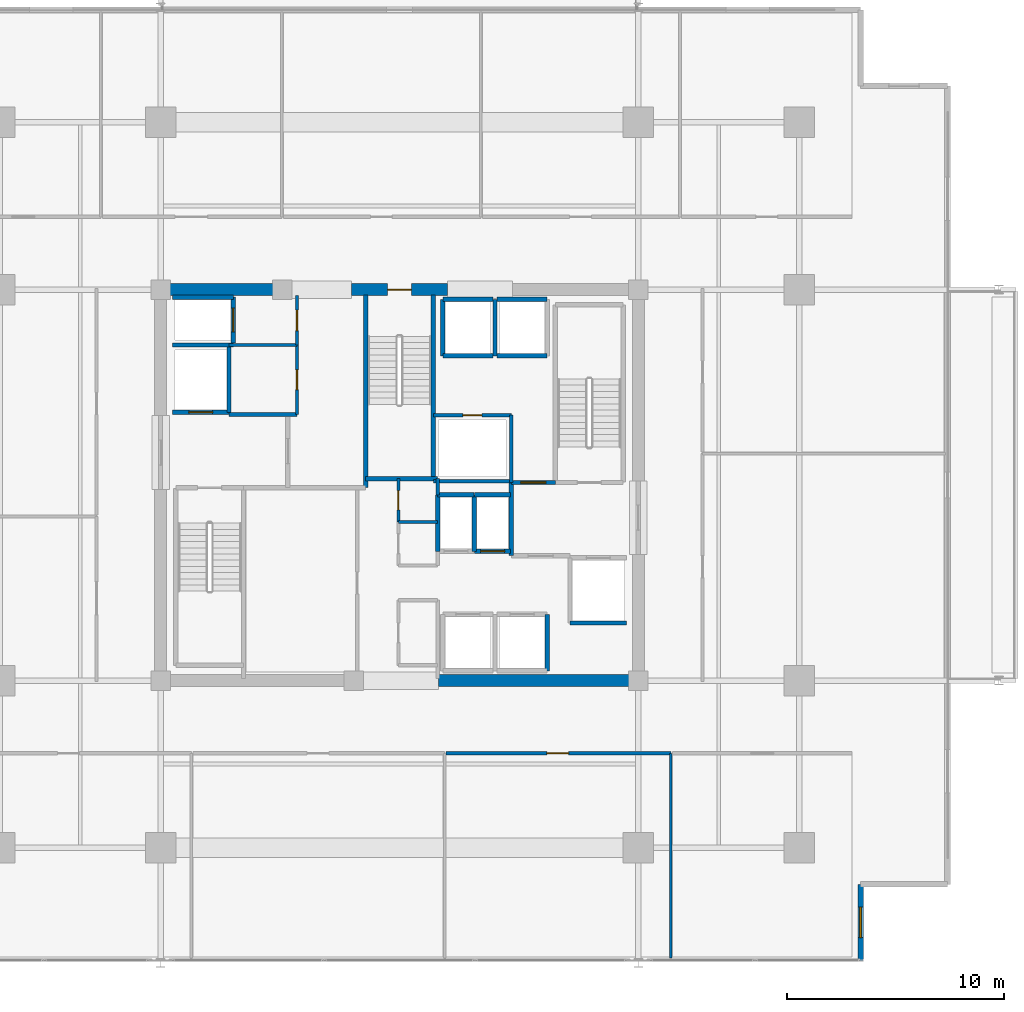
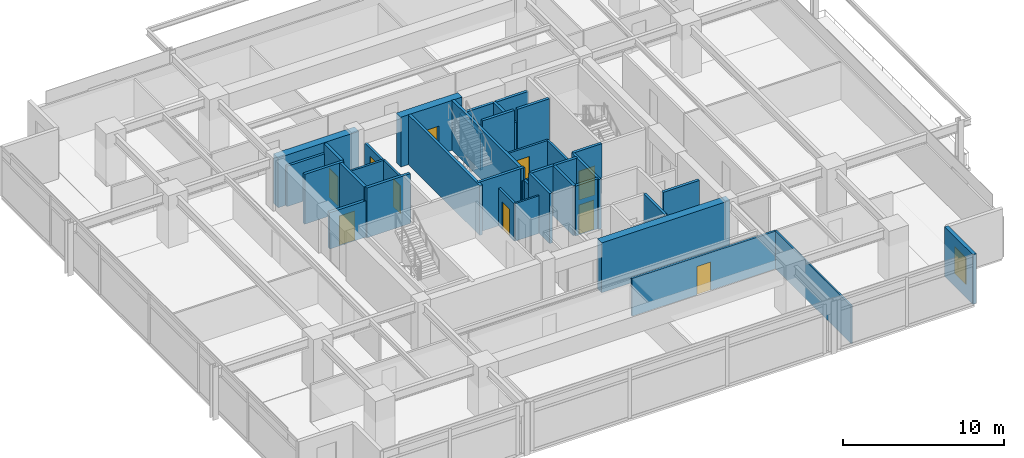
# One storey, part 14 of 20: 39 walls, 10 doors, 1 window, 11 openings.
"""IFC4 building model written with IfcOpenShell, lengths in metres."""

from ifc_helpers import new_model, si_unit, direction, frame, frame_2d, origin, place, context, subcontext, project, spatial, rectangle, extrude, material, layer, layer_set, type_object, element, fill, save


model = new_model("IFC4")

# Units and contexts
model_context = context("Model", 3, precision=1e-05, world=origin(), true_north=direction((0.0, 1.0)))
body_context = subcontext(model_context, "Body", "Model", "MODEL_VIEW")
ifc_project = project(units=[si_unit("LENGTHUNIT", "METRE"), si_unit("AREAUNIT", "SQUARE_METRE"), si_unit("VOLUMEUNIT", "CUBIC_METRE"), si_unit("PLANEANGLEUNIT", "RADIAN"), si_unit("MASSUNIT", "GRAM", prefix="KILO")], contexts=[model_context])

# Site, building, storey
site_placement = place(None, origin())
site = spatial("IfcSite", under=ifc_project, at=site_placement, CompositionType="ELEMENT")
building_placement = place(site_placement, origin())
building = spatial("IfcBuilding", under=site, at=building_placement, Name="Kovane Verandah Tower", CompositionType="ELEMENT")
storey_placement = place(building_placement, frame((0.0, 0.0, 213.199951171875)))
storey = spatial("IfcBuildingStorey", under=building, at=storey_placement, Name="L49", CompositionType="ELEMENT", Elevation=213.199951171875)

# Wall
ifc_material_1 = material(Name="Fire-Rated Gypsum Stud Partition", Category="gypsum")
ifc_layer_1 = layer(ifc_material_1, 0.14990234375)
ifc_layer_set_1 = layer_set([ifc_layer_1], Name="Fire-Rated Gypsum Stud Partition")
wall_type_1 = type_object("IfcWallType", Name="WL-COR-150", PredefinedType="PARTITIONING", material=ifc_layer_set_1)
wall_1_placement = place(storey_placement, frame((41.760009765625, 27.050048828125, 0.0), z_axis=(0.0, 0.0, 1.0), x_axis=(0.0, 1.0, 0.0)))
element("IfcWall", 1, at=wall_1_placement, inside=storey, type_object=wall_type_1, Name="L49 Central Core Strip Upper East Wall", PredefinedType="PARTITIONING", context=body_context, shape_type="SweptSolid", body=[
    extrude(rectangle(XDim=0.75, YDim=0.14990234375, at=frame_2d((0.375, 0.0))), origin(), (0.0, 0.0, 1.0), 2.85009765625),
])

# Wall, opening, door
wall_2_placement = place(storey_placement, frame((39.949951171875, 25.800048828125, 0.0), z_axis=(0.0, 0.0, 1.0), x_axis=(0.0, 1.0, 0.0)))
wall_2 = element("IfcWall", 2, at=wall_2_placement, inside=storey, type_object=wall_type_1, Name="L49 Telecom and BMS Riser Room Partition", PredefinedType="PARTITIONING", context=body_context, shape_type="SweptSolid", body=[
    extrude(rectangle(XDim=2.0, YDim=0.14990234375, at=frame_2d((1.0, 0.0))), origin(), (0.0, 0.0, 1.0), 2.85009765625),
])
opening_1_placement = place(wall_2_placement, frame((0.56005859375, 0.0, 0.0)))
opening_1 = element("IfcOpeningElement", 3, at=opening_1_placement, cuts=wall_2, Name="Opening DR-L49-025", PredefinedType="OPENING", context=body_context, shape_type="SweptSolid", body=[
    extrude(rectangle(XDim=0.8798828125, YDim=2.10009765625, at=frame_2d((0.43994140625, 1.050048828125))), frame((0.0, 0.074951171875, 0.0), z_axis=(0.0, -1.0, 0.0), x_axis=(1.0, 0.0, 0.0)), (0.0, 0.0, 1.0), 0.14990234375),
])
ifc_material_2 = material(Name="Fire-Rated Steel Riser Access Door", Category="steel")
door_type_1 = type_object("IfcDoorType", Name="DR-RISER-880", OperationType="SINGLE_SWING_LEFT", PredefinedType="DOOR", material=ifc_material_2)
door_1_placement = place(opening_1_placement, origin())
door_1 = element("IfcDoor", 4, at=door_1_placement, inside=storey, type_object=door_type_1, Name="L49 Telecom and BMS Riser Room Door", OperationType="SINGLE_SWING_RIGHT", OverallHeight=2.10009765625, OverallWidth=0.8798828125, PredefinedType="DOOR", context=body_context, shape_type="SweptSolid", body=[
    extrude(rectangle(XDim=0.8798828125, YDim=2.10009765625, at=frame_2d((0.43994140625, 1.050048828125))), frame((0.0, 0.02490234375, 0.0), z_axis=(0.0, -1.0, 0.0), x_axis=(1.0, 0.0, 0.0)), (0.0, 0.0, 1.0), 0.050048828125),
])
fill(opening_1, door_1)

# Wall
wall_3_placement = place(storey_placement, frame((32.14990234375, 33.949951171875, 0.0), z_axis=(0.0, 0.0, 1.0), x_axis=(1.0, 0.0, 0.0)))
element("IfcWall", 5, at=wall_3_placement, inside=storey, type_object=wall_type_1, Name="L49 Goods Lift Lobby South Wall", PredefinedType="PARTITIONING", context=body_context, shape_type="SweptSolid", body=[
    extrude(rectangle(XDim=3.130126953125, YDim=0.14990234375, at=frame_2d((1.56494140625, 0.0))), origin(), (0.0, 0.0, 1.0), 2.85009765625),
])

# Wall, opening, door
wall_4_placement = place(storey_placement, frame((35.280029296875, 33.949951171875, 0.0), z_axis=(0.0, 0.0, 1.0), x_axis=(0.0, 1.0, 0.0)))
wall_4 = element("IfcWall", 6, at=wall_4_placement, inside=storey, type_object=wall_type_1, Name="L49 Goods Lift Lobby East Fire Partition", PredefinedType="PARTITIONING", context=body_context, shape_type="SweptSolid", body=[
    extrude(rectangle(XDim=2.27001953125, YDim=0.14990234375, at=frame_2d((1.135009765625, 0.0))), origin(), (0.0, 0.0, 1.0), 2.755126953125),
])
opening_2_placement = place(wall_4_placement, frame((0.659912109375, 0.0, 0.0)))
opening_2 = element("IfcOpeningElement", 7, at=opening_2_placement, cuts=wall_4, Name="Opening DR-L49-008", PredefinedType="OPENING", context=body_context, shape_type="SweptSolid", body=[
    extrude(rectangle(XDim=0.949951171875, YDim=2.14990234375, at=frame_2d((0.47509765625, 1.074951171875))), frame((0.0, 0.074951171875, 0.0), z_axis=(0.0, -1.0, 0.0), x_axis=(1.0, 0.0, 0.0)), (0.0, 0.0, 1.0), 0.14990234375),
])
ifc_material_3 = material(Name="Fire-Rated Steel Refuge and Lobby Door", Category="steel")
door_type_2 = type_object("IfcDoorType", Name="DR-FIRE-950", OperationType="SINGLE_SWING_LEFT", PredefinedType="DOOR", material=ifc_material_3)
door_2_placement = place(opening_2_placement, origin())
door_2 = element("IfcDoor", 8, at=door_2_placement, inside=storey, type_object=door_type_2, Name="L49 Goods Lift Lobby Fire Door", OperationType="SINGLE_SWING_LEFT", OverallHeight=2.14990234375, OverallWidth=0.949951171875, PredefinedType="DOOR", context=body_context, shape_type="SweptSolid", body=[
    extrude(rectangle(XDim=0.949951171875, YDim=2.14990234375, at=frame_2d((0.47509765625, 1.074951171875))), frame((0.0, 0.02490234375, 0.0), z_axis=(0.0, -1.0, 0.0), x_axis=(1.0, 0.0, 0.0)), (0.0, 0.0, 1.0), 0.050048828125),
])
fill(opening_2, door_2)

wall_5_placement = place(storey_placement, frame((35.280029296875, 30.75, 0.0), z_axis=(0.0, 0.0, 1.0), x_axis=(0.0, 1.0, 0.0)))
wall_5 = element("IfcWall", 9, at=wall_5_placement, inside=storey, type_object=wall_type_1, Name="L49 Accessible Unisex Toilet Partition", PredefinedType="PARTITIONING", context=body_context, shape_type="SweptSolid", body=[
    extrude(rectangle(XDim=3.199951171875, YDim=0.14990234375, at=frame_2d((1.60009765625, 0.0))), origin(), (0.0, 0.0, 1.0), 2.85009765625),
])
opening_3_placement = place(wall_5_placement, frame((1.14990234375, 0.0, 0.0)))
opening_3 = element("IfcOpeningElement", 10, at=opening_3_placement, cuts=wall_5, Name="Opening DR-L49-026", PredefinedType="OPENING", context=body_context, shape_type="SweptSolid", body=[
    extrude(rectangle(XDim=0.89990234375, YDim=2.10009765625, at=frame_2d((0.449951171875, 1.050048828125))), frame((0.0, 0.074951171875, 0.0), z_axis=(0.0, -1.0, 0.0), x_axis=(1.0, 0.0, 0.0)), (0.0, 0.0, 1.0), 0.14990234375),
])
ifc_material_4 = material(Name="Moisture-Resistant Laminate Washroom Door", Category="wood")
door_type_3 = type_object("IfcDoorType", Name="DR-WC-900", OperationType="SINGLE_SWING_LEFT", PredefinedType="DOOR", material=ifc_material_4)
door_3_placement = place(opening_3_placement, origin())
door_3 = element("IfcDoor", 11, at=door_3_placement, inside=storey, type_object=door_type_3, Name="L49 Accessible Unisex Toilet Door", OperationType="SINGLE_SWING_RIGHT", OverallHeight=2.10009765625, OverallWidth=0.89990234375, PredefinedType="DOOR", context=body_context, shape_type="SweptSolid", body=[
    extrude(rectangle(XDim=0.89990234375, YDim=2.10009765625, at=frame_2d((0.449951171875, 1.050048828125))), frame((0.0, 0.02490234375, 0.0), z_axis=(0.0, -1.0, 0.0), x_axis=(1.0, 0.0, 0.0)), (0.0, 0.0, 1.0), 0.050048828125),
])
fill(opening_3, door_3)

# Walls
wall_6_placement = place(storey_placement, frame((41.56005859375, 27.679931640625, 0.0), z_axis=(0.0, 0.0, 1.0), x_axis=(1.0, 0.0, 0.0)))
element("IfcWall", 12, at=wall_6_placement, inside=storey, type_object=wall_type_1, Name="L49 East Core Service Riser South Wall", PredefinedType="PARTITIONING", context=body_context, shape_type="SweptSolid", body=[
    extrude(rectangle(XDim=3.58984375, YDim=0.14990234375, at=frame_2d((1.794921875, 0.0))), origin(), (0.0, 0.0, 1.0), 2.85009765625),
])
wall_7_placement = place(storey_placement, frame((45.14990234375, 27.6201171875, 0.0), z_axis=(0.0, 0.0, 1.0), x_axis=(0.0, 1.0, 0.0)))
element("IfcWall", 13, at=wall_7_placement, inside=storey, type_object=wall_type_1, Name="L49 East Core Service Riser East Wall", PredefinedType="PARTITIONING", context=body_context, shape_type="SweptSolid", body=[
    extrude(rectangle(XDim=3.099853515625, YDim=0.14990234375, at=frame_2d((1.5498046875, 0.0))), origin(), (0.0, 0.0, 1.0), 2.85009765625),
])

# Wall, opening, door
wall_8_placement = place(storey_placement, frame((41.56005859375, 30.719970703125, 0.0), z_axis=(0.0, 0.0, 1.0), x_axis=(1.0, 0.0, 0.0)))
wall_8 = element("IfcWall", 14, at=wall_8_placement, inside=storey, type_object=wall_type_1, Name="L49 Combined Chilled Water and Smoke Duct Room Partition", PredefinedType="PARTITIONING", context=body_context, shape_type="SweptSolid", body=[
    extrude(rectangle(XDim=3.58984375, YDim=0.14990234375, at=frame_2d((1.794921875, 0.0))), origin(), (0.0, 0.0, 1.0), 2.85009765625),
])
opening_4_placement = place(wall_8_placement, frame((1.35498046875, 0.0, 0.0)))
opening_4 = element("IfcOpeningElement", 15, at=opening_4_placement, cuts=wall_8, Name="Opening DR-L49-015", PredefinedType="OPENING", context=body_context, shape_type="SweptSolid", body=[
    extrude(rectangle(XDim=0.8798828125, YDim=2.10009765625, at=frame_2d((0.43994140625, 1.050048828125))), frame((0.0, 0.074951171875, 0.0), z_axis=(0.0, -1.0, 0.0), x_axis=(1.0, 0.0, 0.0)), (0.0, 0.0, 1.0), 0.14990234375),
])
door_4_placement = place(opening_4_placement, origin())
door_4 = element("IfcDoor", 16, at=door_4_placement, inside=storey, type_object=door_type_1, Name="L49 Combined Chilled Water and Smoke Duct Room Door", OperationType="SINGLE_SWING_RIGHT", OverallHeight=2.10009765625, OverallWidth=0.8798828125, PredefinedType="DOOR", context=body_context, shape_type="SweptSolid", body=[
    extrude(rectangle(XDim=0.8798828125, YDim=2.10009765625, at=frame_2d((0.43994140625, 1.050048828125))), frame((0.0, 0.02490234375, 0.0), z_axis=(0.0, -1.0, 0.0), x_axis=(1.0, 0.0, 0.0)), (0.0, 0.0, 1.0), 0.050048828125),
])
fill(opening_4, door_4)

wall_9_placement = place(storey_placement, frame((42.1533203125, 15.14990234375, 0.0), z_axis=(0.0, 0.0, 1.0), x_axis=(1.0, 0.0, 0.0)))
wall_9 = element("IfcWall", 17, at=wall_9_placement, inside=storey, type_object=wall_type_1, Name="L49 Open Plan Office S3 Corridor Partition", PredefinedType="PARTITIONING", context=body_context, shape_type="SweptSolid", body=[
    extrude(rectangle(XDim=10.345703125, YDim=0.14990234375, at=frame_2d((5.1728515625, 0.0))), origin(), (0.0, 0.0, 1.0), 2.85009765625),
])
opening_5_placement = place(wall_9_placement, frame((4.637939453125, 0.0, 0.0)))
opening_5 = element("IfcOpeningElement", 18, at=opening_5_placement, cuts=wall_9, Name="Opening DR-L49-023", PredefinedType="OPENING", context=body_context, shape_type="SweptSolid", body=[
    extrude(rectangle(XDim=1.0, YDim=2.14990234375, at=frame_2d((0.5, 1.074951171875))), frame((0.0, 0.074951171875, 0.0), z_axis=(0.0, -1.0, 0.0), x_axis=(1.0, 0.0, 0.0)), (0.0, 0.0, 1.0), 0.14990234375),
])
ifc_material_5 = material(Name="FSC Spotted-Gum Timber Fire-Rated Office Door", Category="wood")
door_type_4 = type_object("IfcDoorType", Name="DR-OFF-1000", OperationType="SINGLE_SWING_LEFT", PredefinedType="DOOR", material=ifc_material_5)
door_5_placement = place(opening_5_placement, origin())
door_5 = element("IfcDoor", 19, at=door_5_placement, inside=storey, type_object=door_type_4, Name="L49 Open Plan Office S3 Entrance Door", OperationType="SINGLE_SWING_RIGHT", OverallHeight=2.14990234375, OverallWidth=1.0, PredefinedType="DOOR", context=body_context, shape_type="SweptSolid", body=[
    extrude(rectangle(XDim=1.0, YDim=2.14990234375, at=frame_2d((0.5, 1.074951171875))), frame((0.0, 0.02490234375, 0.0), z_axis=(0.0, -1.0, 0.0), x_axis=(1.0, 0.0, 0.0)), (0.0, 0.0, 1.0), 0.050048828125),
])
fill(opening_5, door_5)

# Walls
ifc_material_6 = material(Name="Concrete C60/75", Category="concrete")
ifc_layer_2 = layer(ifc_material_6, 0.550048828125)
ifc_layer_set_2 = layer_set([ifc_layer_2], Name="Concrete C60/75")
wall_type_2 = type_object("IfcWallType", Name="WL-CORE-550", PredefinedType="SHEAR", material=ifc_layer_set_2)
wall_10_placement = place(storey_placement, frame((41.800048828125, 18.5, 0.0), z_axis=(0.0, 0.0, 1.0), x_axis=(1.0, 0.0, 0.0)))
element("IfcWall", 20, at=wall_10_placement, inside=storey, type_object=wall_type_2, Name="L49 Core Shear Wall CS-2", PredefinedType="SHEAR", context=body_context, shape_type="SweptSolid", body=[
    extrude(rectangle(XDim=9.199951171875, YDim=0.550048828125, at=frame_2d((4.60009765625, 0.0))), origin(), (0.0, 0.0, 1.0), 3.775146484375),
])
wall_11_placement = place(storey_placement, frame((29.0, 36.5, 0.0), z_axis=(0.0, 0.0, 1.0), x_axis=(1.0, 0.0, 0.0)))
element("IfcWall", 21, at=wall_11_placement, inside=storey, type_object=wall_type_2, Name="L49 Core Shear Wall CN-1", PredefinedType="SHEAR", context=body_context, shape_type="SweptSolid", body=[
    extrude(rectangle(XDim=5.800048828125, YDim=0.550048828125, at=frame_2d((2.89990234375, 0.0))), origin(), (0.0, 0.0, 1.0), 3.775146484375),
])

# Wall, opening, door
wall_12_placement = place(storey_placement, frame((37.800048828125, 36.5, 0.0), z_axis=(0.0, 0.0, 1.0), x_axis=(1.0, 0.0, 0.0)))
wall_12 = element("IfcWall", 22, at=wall_12_placement, inside=storey, type_object=wall_type_2, Name="L49 Core Shear Wall CN-2", PredefinedType="SHEAR", context=body_context, shape_type="SweptSolid", body=[
    extrude(rectangle(XDim=4.39990234375, YDim=0.550048828125, at=frame_2d((2.199951171875, 0.0))), origin(), (0.0, 0.0, 1.0), 3.775146484375),
])
opening_6_placement = place(wall_12_placement, frame((1.64990234375, 0.0, 0.0)))
opening_6 = element("IfcOpeningElement", 23, at=opening_6_placement, cuts=wall_12, Name="Opening DR-L49-011", PredefinedType="OPENING", context=body_context, shape_type="SweptSolid", body=[
    extrude(rectangle(XDim=1.10009765625, YDim=2.14990234375, at=frame_2d((0.550048828125, 1.074951171875))), frame((0.0, 0.27490234375, 0.0), z_axis=(0.0, -1.0, 0.0), x_axis=(1.0, 0.0, 0.0)), (0.0, 0.0, 1.0), 0.550048828125),
])
ifc_material_7 = material(Name="Fire-Rated Steel Exit Door", Category="steel")
door_type_5 = type_object("IfcDoorType", Name="DR-STAIR-1100", OperationType="SINGLE_SWING_LEFT", PredefinedType="DOOR", material=ifc_material_7)
door_6_placement = place(opening_6_placement, origin())
door_6 = element("IfcDoor", 24, at=door_6_placement, inside=storey, type_object=door_type_5, Name="L49 ST-03 Fire Exit Stair Door", OperationType="SINGLE_SWING_LEFT", OverallHeight=2.14990234375, OverallWidth=1.10009765625, PredefinedType="DOOR", context=body_context, shape_type="SweptSolid", body=[
    extrude(rectangle(XDim=1.10009765625, YDim=2.14990234375, at=frame_2d((0.550048828125, 1.074951171875))), frame((0.0, 0.02490234375, 0.0), z_axis=(0.0, -1.0, 0.0), x_axis=(1.0, 0.0, 0.0)), (0.0, 0.0, 1.0), 0.050048828125),
])
fill(opening_6, door_6)

# Walls
ifc_material_8 = material(Name="Concrete C45/55 Fire Wall", Category="concrete")
ifc_layer_3 = layer(ifc_material_8, 0.199951171875)
ifc_layer_set_3 = layer_set([ifc_layer_3], Name="Concrete C45/55 Fire Wall")
wall_type_3 = type_object("IfcWallType", Name="WL-FFL-200", PredefinedType="PARTITIONING", material=ifc_layer_set_3)
wall_13_placement = place(storey_placement, frame((32.14990234375, 30.75, 0.0), z_axis=(0.0, 0.0, 1.0), x_axis=(1.0, 0.0, 0.0)))
element("IfcWall", 25, at=wall_13_placement, inside=storey, type_object=wall_type_3, Name="L49 West Firefighting Lobby North Fire Wall", PredefinedType="PARTITIONING", context=body_context, shape_type="SweptSolid", body=[
    extrude(rectangle(XDim=3.130126953125, YDim=0.199951171875, at=frame_2d((1.56494140625, 0.0))), origin(), (0.0, 0.0, 1.0), 3.775146484375),
])
wall_14_placement = place(storey_placement, frame((45.14990234375, 24.25, 0.0), z_axis=(0.0, 0.0, 1.0), x_axis=(0.0, 1.0, 0.0)))
element("IfcWall", 26, at=wall_14_placement, inside=storey, type_object=wall_type_3, Name="L49 East Firefighting Lobby West Fire Wall", PredefinedType="PARTITIONING", context=body_context, shape_type="SweptSolid", body=[
    extrude(rectangle(XDim=3.3701171875, YDim=0.199951171875, at=frame_2d((1.68505859375, 0.0))), origin(), (0.0, 0.0, 1.0), 3.775146484375),
])

# Wall, opening, door
wall_15_placement = place(storey_placement, frame((45.14990234375, 27.6201171875, 0.0), z_axis=(0.0, 0.0, 1.0), x_axis=(1.0, 0.0, 0.0)))
wall_15 = element("IfcWall", 27, at=wall_15_placement, inside=storey, type_object=wall_type_3, Name="W-L49-FFLE-N", PredefinedType="PARTITIONING", context=body_context, shape_type="SweptSolid", body=[
    extrude(rectangle(XDim=2.030029296875, YDim=0.199951171875, at=frame_2d((1.01513671875, 0.0))), origin(), (0.0, 0.0, 1.0), 3.775146484375),
])
opening_7_placement = place(wall_15_placement, frame((0.43994140625, 0.0, 0.0)))
opening_7 = element("IfcOpeningElement", 28, at=opening_7_placement, cuts=wall_15, Name="Opening DR-L49-004", PredefinedType="OPENING", context=body_context, shape_type="SweptSolid", body=[
    extrude(rectangle(XDim=1.14990234375, YDim=2.199951171875, at=frame_2d((0.574951171875, 1.10009765625))), frame((0.0, 0.10009765625, 0.0), z_axis=(0.0, -1.0, 0.0), x_axis=(1.0, 0.0, 0.0)), (0.0, 0.0, 1.0), 0.199951171875),
])
ifc_material_9 = material(Name="Smoke-Sealed Firefighting Lobby Door", Category="steel")
door_type_6 = type_object("IfcDoorType", Name="DR-FFL-1150", OperationType="SINGLE_SWING_LEFT", PredefinedType="DOOR", material=ifc_material_9)
door_7_placement = place(opening_7_placement, origin())
door_7 = element("IfcDoor", 29, at=door_7_placement, inside=storey, type_object=door_type_6, Name="L49 East Firefighting Lobby Shuttle Link Door", OperationType="SINGLE_SWING_LEFT", OverallHeight=2.199951171875, OverallWidth=1.14990234375, PredefinedType="DOOR", context=body_context, shape_type="SweptSolid", body=[
    extrude(rectangle(XDim=1.14990234375, YDim=2.199951171875, at=frame_2d((0.574951171875, 1.10009765625))), frame((0.0, 0.02490234375, 0.0), z_axis=(0.0, -1.0, 0.0), x_axis=(1.0, 0.0, 0.0)), (0.0, 0.0, 1.0), 0.050048828125),
])
fill(opening_7, door_7)

ifc_material_10 = material(Name="Concrete C45/55 Lift Shaft Wall", Category="concrete")
ifc_layer_4 = layer(ifc_material_10, 0.199951171875)
ifc_layer_set_4 = layer_set([ifc_layer_4], Name="Concrete C45/55 Lift Shaft Wall")
wall_type_4 = type_object("IfcWallType", Name="WL-LIFT-200", PredefinedType="SOLIDWALL", material=ifc_layer_set_4)
wall_16_placement = place(storey_placement, frame((29.550048828125, 30.85009765625, 0.0), z_axis=(0.0, 0.0, 1.0), x_axis=(1.0, 0.0, 0.0)))
wall_16 = element("IfcWall", 30, at=wall_16_placement, inside=storey, type_object=wall_type_4, Name="L49 Lift FL-01 S Shaft Wall", PredefinedType="SOLIDWALL", context=body_context, shape_type="SweptSolid", body=[
    extrude(rectangle(XDim=2.599853515625, YDim=0.199951171875, at=frame_2d((1.2998046875, 0.0))), origin(), (0.0, 0.0, 1.0), 2.755126953125),
])
opening_8_placement = place(wall_16_placement, frame((0.75, 0.0, 0.0)))
opening_8 = element("IfcOpeningElement", 31, at=opening_8_placement, cuts=wall_16, Name="Opening LD-L49-001", PredefinedType="OPENING", context=body_context, shape_type="SweptSolid", body=[
    extrude(rectangle(XDim=1.10009765625, YDim=2.199951171875, at=frame_2d((0.550048828125, 1.10009765625))), frame((0.0, 0.10009765625, 0.0), z_axis=(0.0, -1.0, 0.0), x_axis=(1.0, 0.0, 0.0)), (0.0, 0.0, 1.0), 0.199951171875),
])
ifc_material_11 = material(Name="Brushed Stainless Steel Sliding Lift Landing Door", Category="steel")
door_type_7 = type_object("IfcDoorType", Name="DR-LIFT-1100", OperationType="SLIDING_TO_RIGHT", PredefinedType="DOOR", material=ifc_material_11)
door_8_placement = place(opening_8_placement, origin())
door_8 = element("IfcDoor", 32, at=door_8_placement, inside=storey, type_object=door_type_7, Name="L49 Lift FL-01 Sliding Landing Door", OperationType="SLIDING_TO_RIGHT", OverallHeight=2.199951171875, OverallWidth=1.10009765625, PredefinedType="DOOR", context=body_context, shape_type="SweptSolid", body=[
    extrude(rectangle(XDim=1.10009765625, YDim=2.199951171875, at=frame_2d((0.550048828125, 1.10009765625))), frame((0.0, 0.02490234375, 0.0), z_axis=(0.0, -1.0, 0.0), x_axis=(1.0, 0.0, 0.0)), (0.0, 0.0, 1.0), 0.050048828125),
])
fill(opening_8, door_8)

# Walls
wall_17_placement = place(storey_placement, frame((29.550048828125, 33.949951171875, 0.0), z_axis=(0.0, 0.0, 1.0), x_axis=(1.0, 0.0, 0.0)))
element("IfcWall", 33, at=wall_17_placement, inside=storey, type_object=wall_type_4, Name="L49 Lift FL-01 and GL-01 Shared Shaft Wall", PredefinedType="SOLIDWALL", context=body_context, shape_type="SweptSolid", body=[
    extrude(rectangle(XDim=2.800048828125, YDim=0.199951171875, at=frame_2d((1.39990234375, 0.0))), origin(), (0.0, 0.0, 1.0), 3.775146484375),
])
wall_18_placement = place(storey_placement, frame((32.14990234375, 30.85009765625, 0.0), z_axis=(0.0, 0.0, 1.0), x_axis=(0.0, 1.0, 0.0)))
element("IfcWall", 34, at=wall_18_placement, inside=storey, type_object=wall_type_4, Name="L49 Lift FL-01 E Shaft Wall", PredefinedType="SOLIDWALL", context=body_context, shape_type="SweptSolid", body=[
    extrude(rectangle(XDim=3.0, YDim=0.199951171875, at=frame_2d((1.5, 0.0))), origin(), (0.0, 0.0, 1.0), 3.775146484375),
])
wall_19_placement = place(storey_placement, frame((47.85009765625, 21.14990234375, 0.0), z_axis=(0.0, 0.0, 1.0), x_axis=(1.0, 0.0, 0.0)))
element("IfcWall", 35, at=wall_19_placement, inside=storey, type_object=wall_type_4, Name="L49 Lift FL-02 S Shaft Wall", PredefinedType="SOLIDWALL", context=body_context, shape_type="SweptSolid", body=[
    extrude(rectangle(XDim=2.599853515625, YDim=0.199951171875, at=frame_2d((1.2998046875, 0.0))), origin(), (0.0, 0.0, 1.0), 3.775146484375),
])
wall_20_placement = place(storey_placement, frame((32.35009765625, 36.14990234375, 0.0), z_axis=(0.0, 0.0, 1.0), x_axis=(-1.0, 0.0, 0.0)))
element("IfcWall", 36, at=wall_20_placement, inside=storey, type_object=wall_type_4, Name="L49 Lift GL-01 N Shaft Wall", PredefinedType="SOLIDWALL", context=body_context, shape_type="SweptSolid", body=[
    extrude(rectangle(XDim=2.800048828125, YDim=0.199951171875, at=frame_2d((1.39990234375, 0.0))), origin(), (0.0, 0.0, 1.0), 3.06201171875),
])

# Wall, opening, door
wall_21_placement = place(storey_placement, frame((32.35009765625, 34.050048828125, 0.0), z_axis=(0.0, 0.0, 1.0), x_axis=(0.0, 1.0, 0.0)))
wall_21 = element("IfcWall", 37, at=wall_21_placement, inside=storey, type_object=wall_type_4, Name="L49 Lift GL-01 E Shaft Wall", PredefinedType="SOLIDWALL", context=body_context, shape_type="SweptSolid", body=[
    extrude(rectangle(XDim=2.099853515625, YDim=0.199951171875, at=frame_2d((1.0498046875, 0.0))), origin(), (0.0, 0.0, 1.0), 3.775146484375),
])
opening_9_placement = place(wall_21_placement, frame((0.5, 0.0, 0.0)))
opening_9 = element("IfcOpeningElement", 38, at=opening_9_placement, cuts=wall_21, Name="Opening LD-L49-003", PredefinedType="OPENING", context=body_context, shape_type="SweptSolid", body=[
    extrude(rectangle(XDim=1.10009765625, YDim=2.199951171875, at=frame_2d((0.550048828125, 1.10009765625))), frame((0.0, 0.10009765625, 0.0), z_axis=(0.0, -1.0, 0.0), x_axis=(1.0, 0.0, 0.0)), (0.0, 0.0, 1.0), 0.199951171875),
])
door_9_placement = place(opening_9_placement, origin())
door_9 = element("IfcDoor", 39, at=door_9_placement, inside=storey, type_object=door_type_7, Name="L49 Lift GL-01 Sliding Landing Door", OperationType="SLIDING_TO_RIGHT", OverallHeight=2.199951171875, OverallWidth=1.10009765625, PredefinedType="DOOR", context=body_context, shape_type="SweptSolid", body=[
    extrude(rectangle(XDim=1.10009765625, YDim=2.199951171875, at=frame_2d((0.550048828125, 1.10009765625))), frame((0.0, 0.02490234375, 0.0), z_axis=(0.0, -1.0, 0.0), x_axis=(1.0, 0.0, 0.0)), (0.0, 0.0, 1.0), 0.050048828125),
])
fill(opening_9, door_9)

# Walls
wall_22_placement = place(storey_placement, frame((46.800048828125, 18.949951171875, 0.0), z_axis=(0.0, 0.0, 1.0), x_axis=(0.0, 1.0, 0.0)))
element("IfcWall", 40, at=wall_22_placement, inside=storey, type_object=wall_type_4, Name="L49 Lift PL-M2 E Shaft Wall", PredefinedType="SOLIDWALL", context=body_context, shape_type="SweptSolid", body=[
    extrude(rectangle(XDim=2.60009765625, YDim=0.199951171875, at=frame_2d((1.300048828125, 0.0))), origin(), (0.0, 0.0, 1.0), 3.775146484375),
])
wall_23_placement = place(storey_placement, frame((43.43994140625, 27.050048828125, 0.0), z_axis=(0.0, 0.0, 1.0), x_axis=(-1.0, 0.0, 0.0)))
element("IfcWall", 41, at=wall_23_placement, inside=storey, type_object=wall_type_4, Name="L49 Lift PL-M3 N Shaft Wall", PredefinedType="SOLIDWALL", context=body_context, shape_type="SweptSolid", body=[
    extrude(rectangle(XDim=1.679931640625, YDim=0.199951171875, at=frame_2d((0.83984375, 0.0))), origin(), (0.0, 0.0, 1.0), 3.775146484375),
])
for number, where, z_axis, x_axis, name in (
    (42, (41.760009765625, 27.050048828125, 0.0), (0.0, 0.0, 1.0), (0.0, -1.0, 0.0), "L49 Lift PL-M3 W Shaft Wall"),
    (43, (43.449951171875, 24.449951171875, 0.0), (0.0, 0.0, 1.0), (0.0, 1.0, 0.0), "L49 Lift PL-M3 and PL-M4 Shared Shaft Wall"),
):
    element("IfcWall", number, at=place(storey_placement, frame(where, z_axis=z_axis, x_axis=x_axis)), inside=storey, type_object=wall_type_4, Name=name, PredefinedType="SOLIDWALL", context=body_context, shape_type="SweptSolid", body=[
        extrude(rectangle(XDim=2.60009765625, YDim=0.199951171875, at=frame_2d((1.300048828125, 0.0))), origin(), (0.0, 0.0, 1.0), 3.775146484375),
    ])

# Wall, opening, door
wall_24_placement = place(storey_placement, frame((43.4599609375, 24.449951171875, 0.0), z_axis=(0.0, 0.0, 1.0), x_axis=(1.0, 0.0, 0.0)))
wall_24 = element("IfcWall", 44, at=wall_24_placement, inside=storey, type_object=wall_type_4, Name="L49 Lift PL-M4 S Shaft Wall", PredefinedType="SOLIDWALL", context=body_context, shape_type="SweptSolid", body=[
    extrude(rectangle(XDim=1.66015625, YDim=0.199951171875, at=frame_2d((0.830078125, 0.0))), origin(), (0.0, 0.0, 1.0), 3.775146484375),
])
opening_10_placement = place(wall_24_placement, frame((0.280029296875, 0.0, 0.0)))
opening_10 = element("IfcOpeningElement", 45, at=opening_10_placement, cuts=wall_24, Name="Opening LD-L49-007", PredefinedType="OPENING", context=body_context, shape_type="SweptSolid", body=[
    extrude(rectangle(XDim=1.10009765625, YDim=2.199951171875, at=frame_2d((0.550048828125, 1.10009765625))), frame((0.0, 0.10009765625, 0.0), z_axis=(0.0, -1.0, 0.0), x_axis=(1.0, 0.0, 0.0)), (0.0, 0.0, 1.0), 0.199951171875),
])
door_10_placement = place(opening_10_placement, origin())
door_10 = element("IfcDoor", 46, at=door_10_placement, inside=storey, type_object=door_type_7, Name="L49 Lift PL-M4 Sliding Landing Door", OperationType="SLIDING_TO_RIGHT", OverallHeight=2.199951171875, OverallWidth=1.10009765625, PredefinedType="DOOR", context=body_context, shape_type="SweptSolid", body=[
    extrude(rectangle(XDim=1.10009765625, YDim=2.199951171875, at=frame_2d((0.550048828125, 1.10009765625))), frame((0.0, 0.02490234375, 0.0), z_axis=(0.0, -1.0, 0.0), x_axis=(1.0, 0.0, 0.0)), (0.0, 0.0, 1.0), 0.050048828125),
])
fill(opening_10, door_10)

# Walls
wall_25_placement = place(storey_placement, frame((45.1201171875, 27.050048828125, 0.0), z_axis=(0.0, 0.0, 1.0), x_axis=(-1.0, 0.0, 0.0)))
element("IfcWall", 47, at=wall_25_placement, inside=storey, type_object=wall_type_4, Name="L49 Lift PL-M4 N Shaft Wall", PredefinedType="SOLIDWALL", context=body_context, shape_type="SweptSolid", body=[
    extrude(rectangle(XDim=1.66015625, YDim=0.199951171875, at=frame_2d((0.830078125, 0.0))), origin(), (0.0, 0.0, 1.0), 3.775146484375),
])
wall_26_placement = place(storey_placement, frame((42.0, 33.449951171875, 0.0), z_axis=(0.0, 0.0, 1.0), x_axis=(1.0, 0.0, 0.0)))
element("IfcWall", 48, at=wall_26_placement, inside=storey, type_object=wall_type_4, Name="L49 Lift SL-01 S Shaft Wall", PredefinedType="SOLIDWALL", context=body_context, shape_type="SweptSolid", body=[
    extrude(rectangle(XDim=2.300048828125, YDim=0.199951171875, at=frame_2d((1.14990234375, 0.0))), origin(), (0.0, 0.0, 1.0), 3.775146484375),
])
wall_27_placement = place(storey_placement, frame((44.300048828125, 36.050048828125, 0.0), z_axis=(0.0, 0.0, 1.0), x_axis=(-1.0, 0.0, 0.0)))
element("IfcWall", 49, at=wall_27_placement, inside=storey, type_object=wall_type_4, Name="L49 Lift SL-01 N Shaft Wall", PredefinedType="SOLIDWALL", context=body_context, shape_type="SweptSolid", body=[
    extrude(rectangle(XDim=2.300048828125, YDim=0.199951171875, at=frame_2d((1.14990234375, 0.0))), origin(), (0.0, 0.0, 1.0), 2.755126953125),
])
for number, where, z_axis, x_axis, name in (
    (50, (42.0, 36.050048828125, 0.0), (0.0, 0.0, 1.0), (0.0, -1.0, 0.0), "L49 Lift SL-01 W Shaft Wall"),
    (51, (44.39990234375, 33.449951171875, 0.0), (0.0, 0.0, 1.0), (0.0, 1.0, 0.0), "L49 Lift OL-01 and SL-01 Shared Shaft Wall"),
):
    element("IfcWall", number, at=place(storey_placement, frame(where, z_axis=z_axis, x_axis=x_axis)), inside=storey, type_object=wall_type_4, Name=name, PredefinedType="SOLIDWALL", context=body_context, shape_type="SweptSolid", body=[
        extrude(rectangle(XDim=2.60009765625, YDim=0.199951171875, at=frame_2d((1.300048828125, 0.0))), origin(), (0.0, 0.0, 1.0), 2.755126953125),
    ])
wall_28_placement = place(storey_placement, frame((44.5, 33.449951171875, 0.0), z_axis=(0.0, 0.0, 1.0), x_axis=(1.0, 0.0, 0.0)))
element("IfcWall", 52, at=wall_28_placement, inside=storey, type_object=wall_type_4, Name="L49 Lift OL-01 S Shaft Wall", PredefinedType="SOLIDWALL", context=body_context, shape_type="SweptSolid", body=[
    extrude(rectangle(XDim=2.300048828125, YDim=0.199951171875, at=frame_2d((1.14990234375, 0.0))), origin(), (0.0, 0.0, 1.0), 3.775146484375),
])
wall_29_placement = place(storey_placement, frame((46.800048828125, 36.050048828125, 0.0), z_axis=(0.0, 0.0, 1.0), x_axis=(-1.0, 0.0, 0.0)))
element("IfcWall", 53, at=wall_29_placement, inside=storey, type_object=wall_type_4, Name="L49 Lift OL-01 N Shaft Wall", PredefinedType="SOLIDWALL", context=body_context, shape_type="SweptSolid", body=[
    extrude(rectangle(XDim=2.300048828125, YDim=0.199951171875, at=frame_2d((1.14990234375, 0.0))), origin(), (0.0, 0.0, 1.0), 2.755126953125),
])
ifc_material_12 = material(Name="Acoustic Fire-Rated Gypsum Partition", Category="gypsum")
ifc_layer_5 = layer(ifc_material_12, 0.1201171875)
ifc_layer_set_5 = layer_set([ifc_layer_5], Name="Acoustic Fire-Rated Gypsum Partition")
wall_type_5 = type_object("IfcWallType", Name="WL-PART-120", PredefinedType="PARTITIONING", material=ifc_layer_set_5)
wall_30_placement = place(storey_placement, frame((39.949951171875, 25.800048828125, 0.0), z_axis=(0.0, 0.0, 1.0), x_axis=(1.0, 0.0, 0.0)))
element("IfcWall", 54, at=wall_30_placement, inside=storey, type_object=wall_type_5, Name="L49 Central Core Strip Upper Dividing Partition", PredefinedType="PARTITIONING", context=body_context, shape_type="SweptSolid", body=[
    extrude(rectangle(XDim=1.81005859375, YDim=0.1201171875, at=frame_2d((0.905029296875, 0.0))), origin(), (0.0, 0.0, 1.0), 2.85009765625),
])
wall_31_placement = place(storey_placement, frame((52.4990234375, 5.719482421875, 0.0), z_axis=(0.0, 0.0, 1.0), x_axis=(0.0, 1.0, 0.0)))
element("IfcWall", 55, at=wall_31_placement, inside=storey, type_object=wall_type_5, Name="L49 Open Plan Office S3 Dividing Partition", PredefinedType="PARTITIONING", context=body_context, shape_type="SweptSolid", body=[
    extrude(rectangle(XDim=9.430419921875, YDim=0.1201171875, at=frame_2d((4.71533203125, 0.0))), origin(), (0.0, 0.0, 1.0), 2.85009765625),
])
ifc_material_13 = material(Name="Concrete C45/55", Category="concrete")
ifc_layer_6 = layer(ifc_material_13, 0.199951171875)
ifc_layer_set_6 = layer_set([ifc_layer_6], Name="Concrete C45/55")
wall_type_6 = type_object("IfcWallType", Name="WL-SHAFT-200", PredefinedType="SOLIDWALL", material=ifc_layer_set_6)
wall_32_placement = place(storey_placement, frame((38.43994140625, 27.3798828125, 0.0), z_axis=(0.0, 0.0, 1.0), x_axis=(0.0, 1.0, 0.0)))
element("IfcWall", 56, at=wall_32_placement, inside=storey, type_object=wall_type_6, Name="W-L49-ST03-W", PredefinedType="SOLIDWALL", context=body_context, shape_type="SweptSolid", body=[
    extrude(rectangle(XDim=8.8701171875, YDim=0.199951171875, at=frame_2d((4.43505859375, 0.0))), origin(), (0.0, 0.0, 1.0), 3.775146484375),
])
wall_33_placement = place(storey_placement, frame((41.56005859375, 27.679931640625, 0.0), z_axis=(0.0, 0.0, 1.0), x_axis=(0.0, 1.0, 0.0)))
element("IfcWall", 57, at=wall_33_placement, inside=storey, type_object=wall_type_6, Name="W-L49-ST03-E", PredefinedType="SOLIDWALL", context=body_context, shape_type="SweptSolid", body=[
    extrude(rectangle(XDim=8.570068359375, YDim=0.199951171875, at=frame_2d((4.28515625, 0.0))), origin(), (0.0, 0.0, 1.0), 3.775146484375),
])
wall_34_placement = place(storey_placement, frame((38.43994140625, 27.800048828125, 0.0), z_axis=(0.0, 0.0, 1.0), x_axis=(1.0, 0.0, 0.0)))
element("IfcWall", 58, at=wall_34_placement, inside=storey, type_object=wall_type_6, Name="W-L49-ST03-S", PredefinedType="SOLIDWALL", context=body_context, shape_type="SweptSolid", body=[
    extrude(rectangle(XDim=3.320068359375, YDim=0.199951171875, at=frame_2d((1.66015625, 0.0))), origin(), (0.0, 0.0, 1.0), 3.775146484375),
])

# Wall, opening, window
ifc_material_14 = material(Name="Concrete C45/55 Insulated Spandrel Wall", Category="concrete")
ifc_layer_7 = layer(ifc_material_14, 0.260009765625)
ifc_layer_set_7 = layer_set([ifc_layer_7], Name="Concrete C45/55 Insulated Spandrel Wall")
wall_type_7 = type_object("IfcWallType", Name="WL-SPANDREL-260", PredefinedType="PARAPET", material=ifc_layer_set_7)
wall_35_placement = place(storey_placement, frame((61.231689453125, 5.619384765625, 0.0), z_axis=(0.0, 0.0, 1.0), x_axis=(0.0, 1.0, 0.0)))
wall_35 = element("IfcWall", 59, at=wall_35_placement, inside=storey, type_object=wall_type_7, Name="L49 SE Notch Cheek Wall 1", PredefinedType="PARAPET", context=body_context, shape_type="SweptSolid", body=[
    extrude(rectangle(XDim=3.5, YDim=0.260009765625, at=frame_2d((1.75, 0.0))), origin(), (0.0, 0.0, 1.0), 3.775146484375),
])
opening_11_placement = place(wall_35_placement, frame((1.050048828125, 0.0, 0.85009765625)))
opening_11 = element("IfcOpeningElement", 60, at=opening_11_placement, cuts=wall_35, Name="Opening W-01", PredefinedType="OPENING", context=body_context, shape_type="SweptSolid", body=[
    extrude(rectangle(XDim=1.39990234375, YDim=2.0, at=frame_2d((0.699951171875, 1.0))), frame((0.0, 0.1298828125, 0.0), z_axis=(0.0, -1.0, 0.0), x_axis=(1.0, 0.0, 0.0)), (0.0, 0.0, 1.0), 0.260009765625),
])
ifc_material_15 = material(Name="Clear Low-E Laminated Double Glazing in Anodised Frame", Category="glass")
window_type = type_object("IfcWindowType", Name="WN-OPER-1400x2000", PartitioningType="SINGLE_PANEL", PredefinedType="WINDOW", material=ifc_material_15)
window_placement = place(opening_11_placement, origin())
window = element("IfcWindow", 61, at=window_placement, inside=storey, type_object=window_type, Name="L49 SE Re-Entrant Corner Operable Window", OverallHeight=2.0, OverallWidth=1.39990234375, PartitioningType="SINGLE_PANEL", PredefinedType="WINDOW", context=body_context, shape_type="SweptSolid", body=[
    extrude(rectangle(XDim=1.39990234375, YDim=2.0, at=frame_2d((0.699951171875, 1.0))), frame((0.0, 0.030029296875, 0.0), z_axis=(0.0, -1.0, 0.0), x_axis=(1.0, 0.0, 0.0)), (0.0, 0.0, 1.0), 0.06005859375),
])
fill(opening_11, window)

save(model, "model.ifc")
